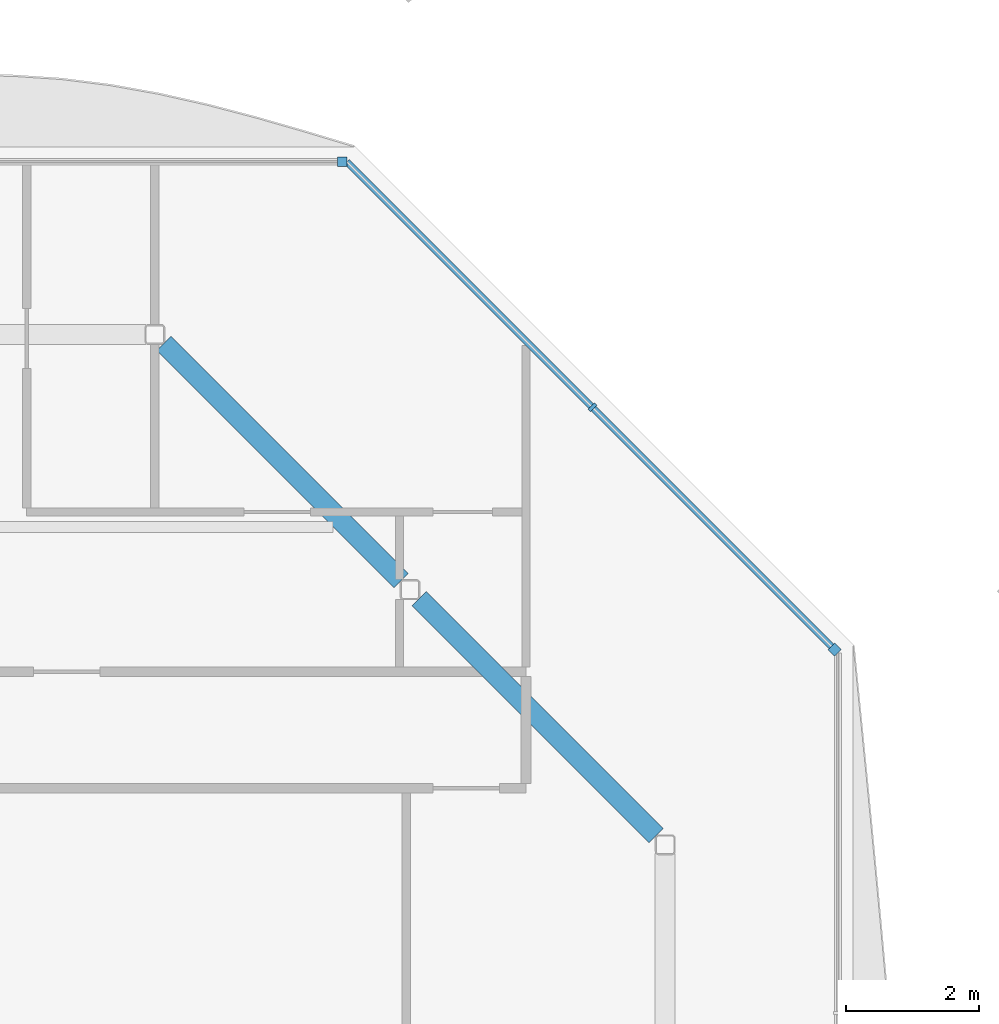
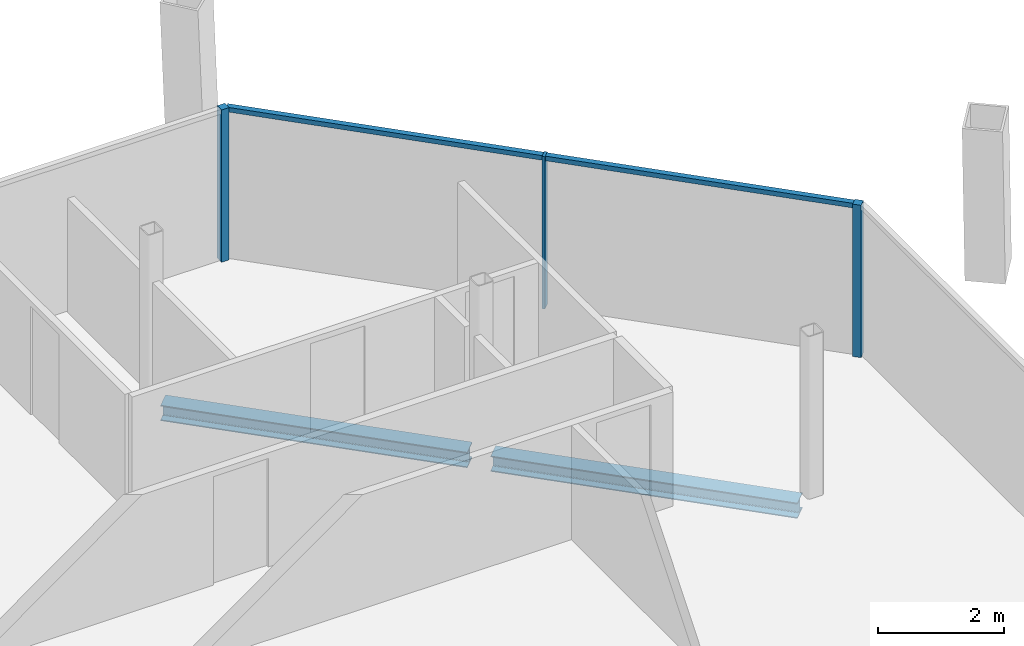
# One storey, part 10 of 18: 5 members, 2 beams, 2 elements without a shape of their own.
"""IFC4 building model written with IfcOpenShell, lengths in metres."""

from ifc_helpers import new_model, si_unit, direction, frame, origin, origin_2d, place, context, subcontext, project, spatial, rectangle, i_section, extrude, material, material_profile, profile_set, type_object, element, aggregate, save


model = new_model("IFC4")

# Units and contexts
model_context = context("Model", 3, precision=1e-05, world=origin(), true_north=direction((0.0, 1.0)))
body_context = subcontext(model_context, "Body", "Model", "MODEL_VIEW")
ifc_project = project(units=[si_unit("LENGTHUNIT", "METRE"), si_unit("AREAUNIT", "SQUARE_METRE"), si_unit("VOLUMEUNIT", "CUBIC_METRE"), si_unit("PLANEANGLEUNIT", "RADIAN"), si_unit("MASSUNIT", "GRAM", prefix="KILO")], contexts=[model_context])

# Site, building, storey
site_placement = place(None, origin())
site = spatial("IfcSite", under=ifc_project, at=site_placement, CompositionType="ELEMENT")
building_placement = place(site_placement, origin())
building = spatial("IfcBuilding", under=site, at=building_placement, Name="Tskaro Facet Tower", CompositionType="ELEMENT")
storey_placement = place(building_placement, frame((0.0, 0.0, 220.35009765625)))
storey = spatial("IfcBuildingStorey", under=building, at=storey_placement, Name="L56", CompositionType="ELEMENT", Elevation=220.35009765625)

# Curtain wall, member
ifc_material_1 = material(Name="Bronze anodised aluminium 6063-T6", Category="aluminium")
curtain_wall_type = type_object("IfcCurtainWallType", Name="Bronze residence curtain wall (FW3)", PredefinedType="NOTDEFINED", material=ifc_material_1)
curtain_wall_1_placement = place(storey_placement, origin())
curtain_wall_1 = element("IfcCurtainWall", 1, at=curtain_wall_1_placement, inside=storey, type_object=curtain_wall_type, Name="FW3 north-east facet L56", PredefinedType="NOTDEFINED")
ifc_material_profile_1 = material_profile(ifc_material_1, rectangle(XDim=0.139892578125, YDim=0.139892578125, at=origin_2d()), Name="Corner post 140x140")
ifc_profile_set_1 = profile_set([ifc_material_profile_1], Name="Bronze anodised aluminium 6063-T6")
member_type_1 = type_object("IfcMemberType", Name="FW3 bronze corner post 140x140", PredefinedType="MULLION", material=ifc_profile_set_1)
member_1_placement = place(storey_placement, frame((15.935546875, 11.658447265625, 0.0), z_axis=(0.0, 0.0, 1.0), x_axis=(-0.707106781187, 0.707106781187, 0.0)))
member_1 = element("IfcMember", 2, at=member_1_placement, type_object=member_type_1, Name="FW3 north-east corner post", PredefinedType="MULLION", context=body_context, shape_type="SweptSolid", body=[
    extrude(rectangle(XDim=0.139892578125, YDim=0.139892578125, at=origin_2d()), origin(), (0.0, 0.0, 1.0), 2.949951171875),
])

curtain_wall_2_placement = place(storey_placement, origin())
curtain_wall_2 = element("IfcCurtainWall", 3, at=curtain_wall_2_placement, inside=storey, type_object=curtain_wall_type, Name="FW3 north facet L56", PredefinedType="NOTDEFINED")
member_2_placement = place(storey_placement, frame((8.5390625, 18.985107421875, 0.0), z_axis=(0.0, 0.0, 1.0), x_axis=(-1.0, 0.0, 0.0)))
member_2 = element("IfcMember", 4, at=member_2_placement, type_object=member_type_1, Name="FW3 north corner post", PredefinedType="MULLION", context=body_context, shape_type="SweptSolid", body=[
    extrude(rectangle(XDim=0.139892578125, YDim=0.139892578125, at=origin_2d()), origin(), (0.0, 0.0, 1.0), 2.949951171875),
])
aggregate(curtain_wall_2, [member_2])

# Member
ifc_material_profile_2 = material_profile(ifc_material_1, rectangle(XDim=0.050048828125, YDim=0.139892578125, at=origin_2d()), Name="Mullion 50x140")
ifc_profile_set_2 = profile_set([ifc_material_profile_2], Name="Bronze anodised aluminium 6063-T6")
member_type_2 = type_object("IfcMemberType", Name="FW3 bronze mullion 50x140", PredefinedType="MULLION", material=ifc_profile_set_2)
member_3_placement = place(storey_placement, frame((12.297119140625, 15.297119140625, 0.0), z_axis=(0.0, 0.0, 1.0), x_axis=(-0.707106781187, 0.707106781187, 0.0)))
member_3 = element("IfcMember", 5, at=member_3_placement, type_object=member_type_2, Name="FW3 north-east mullion 1", PredefinedType="MULLION", context=body_context, shape_type="SweptSolid", body=[
    extrude(rectangle(XDim=0.050048828125, YDim=0.139892578125, at=origin_2d()), origin(), (0.0, 0.0, 1.0), 2.949951171875),
])

ifc_material_profile_3 = material_profile(ifc_material_1, rectangle(XDim=0.10009765625, YDim=0.090087890625, at=origin_2d()), Name="Transom 100x90")
ifc_profile_set_3 = profile_set([ifc_material_profile_3], Name="Bronze anodised aluminium 6063-T6")
member_type_3 = type_object("IfcMemberType", Name="FW3 bronze transom 100x90", PredefinedType="USERDEFINED", material=ifc_profile_set_3)
member_4_placement = place(storey_placement, frame((15.885986328125, 11.7080078125, 2.90478515625), z_axis=(-0.707106781187, 0.707106781187, 0.0), x_axis=(-0.707106781187, -0.707106781187, 0.0)))
member_4 = element("IfcMember", 6, at=member_4_placement, type_object=member_type_3, Name="FW3 north-east transom 1.1", ObjectType="TRANSOM", PredefinedType="USERDEFINED", context=body_context, shape_type="SweptSolid", body=[
    extrude(rectangle(XDim=0.10009765625, YDim=0.090087890625, at=origin_2d()), origin(), (0.0, 0.0, 1.0), 5.050537109375),
])

member_5_placement = place(storey_placement, frame((12.279296875, 15.314697265625, 2.90478515625), z_axis=(-0.707106781187, 0.707106781187, 0.0), x_axis=(-0.707106781187, -0.707106781187, 0.0)))
member_5 = element("IfcMember", 7, at=member_5_placement, type_object=member_type_3, Name="FW3 north-east transom 2.1", ObjectType="TRANSOM", PredefinedType="USERDEFINED", context=body_context, shape_type="SweptSolid", body=[
    extrude(rectangle(XDim=0.10009765625, YDim=0.090087890625, at=origin_2d()), origin(), (0.0, 0.0, 1.0), 5.190673828125),
])

aggregate(curtain_wall_1, [member_1, member_3, member_4, member_5])

# Beams
ifc_material_2 = material(Name="Steel S355J2", Category="steel")
ifc_material_profile_4 = material_profile(ifc_material_2, i_section(OverallWidth=0.300048828125, OverallDepth=0.300048828125, WebThickness=0.010986328125, FlangeThickness=0.01904296875, FilletRadius=0.027099609375, at=origin_2d()), Name="HE 300 B")
ifc_profile_set_4 = profile_set([ifc_material_profile_4], Name="Steel S355J2")
beam_type = type_object("IfcBeamType", Name="HE 300 B ring beam", PredefinedType="BEAM", material=ifc_profile_set_4)
for number, where, z_axis, x_axis, name in (
    (8, (13.255126953125, 8.86083984375, -0.2900390625), (-0.707106781187, 0.707106781187, 0.0), (-0.707106781187, -0.707106781187, 0.0), "HE 300 B EB8-5"),
    (9, (9.422119140625, 12.69384765625, -0.2900390625), (-0.707106781187, 0.707106781187, 0.0), (-0.707106781187, -0.707106781187, 0.0), "HE 300 B EB9-5"),
):
    element("IfcBeam", number, at=place(storey_placement, frame(where, z_axis=z_axis, x_axis=x_axis)), inside=storey, type_object=beam_type, Name=name, PredefinedType="BEAM", context=body_context, shape_type="SweptSolid", body=[
        extrude(i_section(OverallWidth=0.300048828125, OverallDepth=0.300048828125, WebThickness=0.010986328125, FlangeThickness=0.01904296875, FilletRadius=0.027099609375, at=origin_2d()), origin(), (0.0, 0.0, 1.0), 5.036376953125),
    ])

save(model, "model.ifc")
